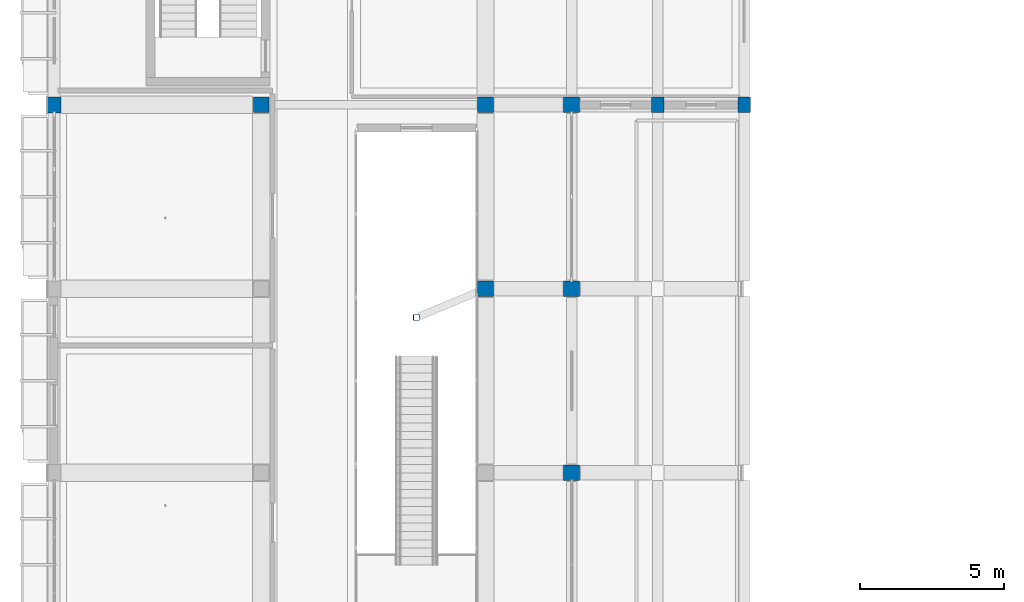
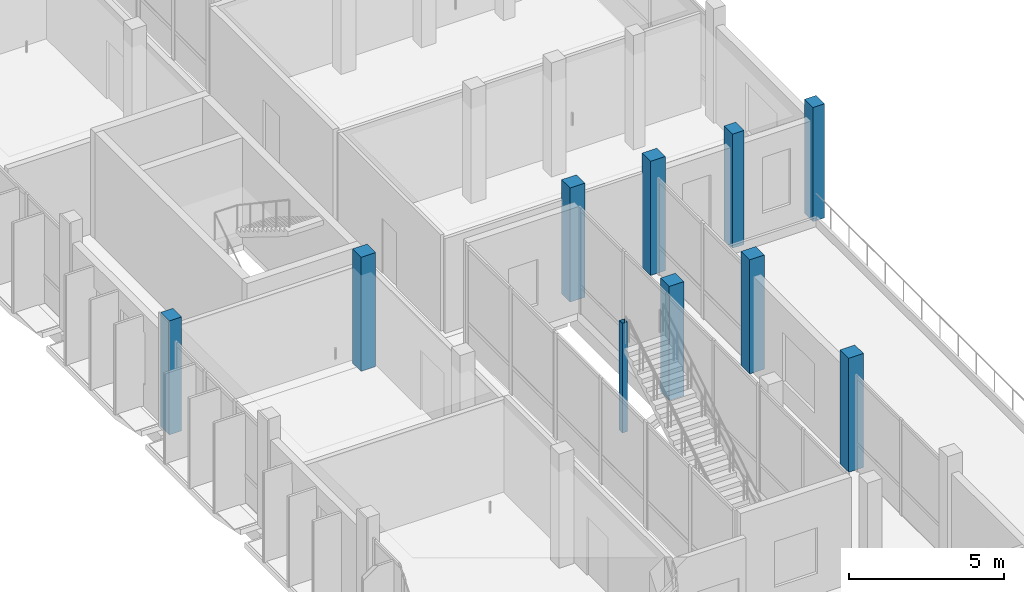
# One storey, part 2 of 95: 10 columns.
"""IFC4 building model written with IfcOpenShell, lengths in metres."""

import ifcopenshell
import ifcopenshell.guid

model = None  # the IFC model being written
_history = None  # IfcOwnerHistory: only IFC2X3 demands one
_inside = {}  # id of a spatial element -> (the spatial element, [elements in it])
_under = {}  # id of a project, library or spatial element -> (it, [spatial elements below it])
_declared = {}  # id of a project -> (the project, [libraries it declares])
_typed = {}  # id of a type object -> (the type object, [elements of that type])
_made_of = {}  # id of a material, layer set ... -> (it, [elements and type objects made of it])


def new_model(schema):
    """Start an empty IFC model of exactly this schema.

    Asked for "IFC4X3", IfcOpenShell would pick the latest addendum, in which some entities
    have other attributes; the version numbers below select the first issue.
    IFC2X3 requires an IfcOwnerHistory on every rooted entity: one is made here for all.
    """
    global model, _history
    if schema == "IFC4X3":
        model = ifcopenshell.file(schema_version=(4, 3, 0, 0))
    else:
        model = ifcopenshell.file(schema=schema)
    _inside.clear()
    _under.clear()
    _declared.clear()
    _typed.clear()
    _made_of.clear()
    _history = None
    if model.schema == "IFC2X3":
        org = make("IfcOrganization", Name="unknown")
        user = make(
            "IfcPersonAndOrganization",
            ThePerson=make("IfcPerson", FamilyName="unknown"),
            TheOrganization=org,
        )
        app = make(
            "IfcApplication",
            ApplicationDeveloper=org,
            Version="unknown",
            ApplicationFullName="unknown",
            ApplicationIdentifier="unknown",
        )
        _history = make(
            "IfcOwnerHistory",
            OwningUser=user,
            OwningApplication=app,
            ChangeAction="ADDED",
            CreationDate=0,
        )
    return model


def make(cls, **values):
    """One entity of the class cls with the attributes given. An attribute that is None is left unset."""
    return model.create_entity(
        cls, **{name: value for name, value in values.items() if value is not None}
    )


def rooted(cls, **values):
    """An entity with a GlobalId (a new one), such as an element, a storey or a relation."""
    return make(cls, GlobalId=ifcopenshell.guid.new(), OwnerHistory=_history, **values)


def si_unit(unit_type, name, prefix=None):
    """IfcSIUnit, for example si_unit("LENGTHUNIT", "METRE", prefix="MILLI")."""
    return make("IfcSIUnit", UnitType=unit_type, Prefix=prefix, Name=name)


def derived_unit(unit_type, elements):
    """IfcDerivedUnit: a product of units, each with its exponent."""
    return make(
        "IfcDerivedUnit",
        Elements=[
            make("IfcDerivedUnitElement", Unit=unit, Exponent=power)
            for unit, power in elements
        ],
        UnitType=unit_type,
    )


def assignment(units):
    """IfcUnitAssignment: the units of a project."""
    return None if units is None else make("IfcUnitAssignment", Units=units)


def point(xyz):
    """IfcCartesianPoint."""
    return None if xyz is None else make("IfcCartesianPoint", Coordinates=xyz)


def direction(xyz):
    """IfcDirection."""
    return None if xyz is None else make("IfcDirection", DirectionRatios=xyz)


def frame(location, z_axis=None, x_axis=None):
    """IfcAxis2Placement3D, a coordinate frame: its origin and axes. An axis left out is left unset."""
    return make(
        "IfcAxis2Placement3D",
        Location=point(location),
        Axis=direction(z_axis),
        RefDirection=direction(x_axis),
    )


def frame_2d(location, x_axis=None):
    """IfcAxis2Placement2D, a coordinate frame in the plane: its origin and x axis."""
    return make(
        "IfcAxis2Placement2D", Location=point(location), RefDirection=direction(x_axis)
    )


def origin():
    """The frame at (0, 0, 0) with its axes left unset."""
    return frame((0.0, 0.0, 0.0))


def origin_2d():
    """The frame at (0, 0) in the plane with its x axis left unset."""
    return frame_2d((0.0, 0.0))


def place(relative_to, where):
    """IfcLocalPlacement: puts the frame where relative to a parent placement (None: the world)."""
    return make(
        "IfcLocalPlacement", PlacementRelTo=relative_to, RelativePlacement=where
    )


def context(
    kind, dimensions, precision=None, world=None, true_north=None, identifier=None
):
    """IfcGeometricRepresentationContext, for example the 3D "Model" context."""
    return make(
        "IfcGeometricRepresentationContext",
        ContextIdentifier=identifier,
        ContextType=kind,
        CoordinateSpaceDimension=dimensions,
        Precision=precision,
        WorldCoordinateSystem=world,
        TrueNorth=true_north,
    )


def subcontext(parent, identifier, kind, view, scale=None):
    """IfcGeometricRepresentationSubContext, for example "Body" below "Model"."""
    return make(
        "IfcGeometricRepresentationSubContext",
        ContextIdentifier=identifier,
        ContextType=kind,
        ParentContext=parent,
        TargetScale=scale,
        TargetView=view,
    )


def project(units=None, contexts=None):
    """IfcProject with its units and contexts."""
    return rooted(
        "IfcProject",
        Name="project",
        RepresentationContexts=contexts,
        UnitsInContext=assignment(units),
    )


def spatial(cls, under=None, at=None, **own):
    """A site, building, storey or space (cls), placed at a placement, below another one or the project."""
    s = rooted(cls, ObjectPlacement=at, **own)
    if under is not None:
        _under.setdefault(under.id(), (under, []))[1].append(s)
    return s


def profile(cls, at=None, kind="AREA", **sizes):
    """A parametric profile (cls). Its sizes go by their IFC names, for example OverallWidth=200.0."""
    return make(cls, ProfileType=kind, Position=at, **sizes)


def rectangle(**sizes):
    """IfcRectangleProfileDef."""
    return profile("IfcRectangleProfileDef", **sizes)


def hollow_rectangle(**sizes):
    """IfcRectangleHollowProfileDef."""
    return profile("IfcRectangleHollowProfileDef", **sizes)


def extrude(swept, where, along, depth):
    """IfcExtrudedAreaSolid: the profile swept, set in the frame where, extruded along a direction by depth."""
    return make(
        "IfcExtrudedAreaSolid",
        SweptArea=swept,
        Position=where,
        ExtrudedDirection=direction(along),
        Depth=depth,
    )


def shape(context_of_items, identifier, shape_type, items):
    """IfcShapeRepresentation: the items that make up one representation, for example the "Body"."""
    return make(
        "IfcShapeRepresentation",
        ContextOfItems=context_of_items,
        RepresentationIdentifier=identifier,
        RepresentationType=shape_type,
        Items=items,
    )


def material(Name=None, Category=None):
    """IfcMaterial."""
    return make("IfcMaterial", Name=Name, Category=Category)


def material_profile(
    of_material, cross_section, Name=None, Category=None, Priority=None
):
    """IfcMaterialProfile: a cross section and its material."""
    return make(
        "IfcMaterialProfile",
        Name=Name,
        Material=of_material,
        Profile=cross_section,
        Priority=Priority,
        Category=Category,
    )


def profile_set(profiles, Name=None, composite=None):
    """IfcMaterialProfileSet."""
    return make(
        "IfcMaterialProfileSet",
        Name=Name,
        MaterialProfiles=profiles,
        CompositeProfile=composite,
    )


def made_of(thing, what):
    """Note that an element or type object is made of a material, layer set ...; save() writes the relation."""
    if what is not None:
        _made_of.setdefault(what.id(), (what, []))[1].append(thing)
    return thing


def type_object(cls, material=None, **own):
    """A type object (cls), such as IfcWallType, which elements share."""
    return made_of(rooted(cls, **own), material)


def element(
    cls,
    number,
    at=None,
    inside=None,
    cuts=None,
    type_object=None,
    material=None,
    context=None,
    identifier="Body",
    shape_type=None,
    held_by="IfcProductDefinitionShape",
    body=None,
    shapes=None,
    **own,
):
    """One element of the class cls, such as IfcWall. Its Tag is "e" and its number.

    at: its placement. inside: the storey or other place that contains it. cuts: it is an
    opening in that element (IfcRelVoidsElement). A single representation is given by context,
    identifier, shape_type and body (its items); several are given by shapes. held_by: the class
    of the entity that holds the representations. save() writes the other relations.
    """
    e = rooted(cls, Tag="e%d" % number, ObjectPlacement=at, **own)
    if body is not None:
        shapes = [shape(context, identifier, shape_type, body)]
    if shapes is not None:
        e.Representation = make(held_by, Representations=shapes)
    if inside is not None:
        _inside.setdefault(inside.id(), (inside, []))[1].append(e)
    if cuts is not None:
        rooted(
            "IfcRelVoidsElement", RelatingBuildingElement=cuts, RelatedOpeningElement=e
        )
    if type_object is not None:
        _typed.setdefault(type_object.id(), (type_object, []))[1].append(e)
    return made_of(e, material)


def aggregate(whole, parts):
    """IfcRelAggregates: a whole, such as a stair, and the parts it consists of."""
    return rooted("IfcRelAggregates", RelatingObject=whole, RelatedObjects=parts)


def save(model, path):
    """Write the relations noted so far, then the file.

    IfcRelAggregates (storeys below a building ...), IfcRelContainedInSpatialStructure (elements
    in a storey), IfcRelDefinesByType, IfcRelAssociatesMaterial and IfcRelDeclares: one each for
    every whole, place, type object, material and project.
    """
    for whole, parts in _under.values():
        aggregate(whole, parts)
    for where, things in _inside.values():
        rooted(
            "IfcRelContainedInSpatialStructure",
            RelatedElements=things,
            RelatingStructure=where,
        )
    for kind, things in _typed.values():
        rooted("IfcRelDefinesByType", RelatedObjects=things, RelatingType=kind)
    for what, things in _made_of.values():
        rooted("IfcRelAssociatesMaterial", RelatedObjects=things, RelatingMaterial=what)
    for by, libraries in _declared.values():
        rooted("IfcRelDeclares", RelatingContext=by, RelatedDefinitions=libraries)
    model.write(path)


model = new_model("IFC4")

# Units and contexts
model_context = context("Model", 3, precision=1e-05, world=origin(), true_north=direction((0.0, 1.0)))
body_context = subcontext(model_context, "Body", "Model", "MODEL_VIEW")
ifc_project = project(units=[si_unit("LENGTHUNIT", "METRE"), si_unit("AREAUNIT", "SQUARE_METRE"), si_unit("VOLUMEUNIT", "CUBIC_METRE"), si_unit("PLANEANGLEUNIT", "RADIAN"), si_unit("MASSUNIT", "GRAM", prefix="KILO"), derived_unit("THERMALTRANSMITTANCEUNIT", [(si_unit("POWERUNIT", "WATT"), 1), (si_unit("LENGTHUNIT", "METRE"), -2), (si_unit("THERMODYNAMICTEMPERATUREUNIT", "KELVIN"), -1)])], contexts=[model_context])

# Site, building, storey
site_placement = place(None, origin())
site = spatial("IfcSite", under=ifc_project, at=site_placement, CompositionType="ELEMENT")
building_placement = place(site_placement, origin())
building = spatial("IfcBuilding", under=site, at=building_placement, Name="Braskholm Square Health Centre", CompositionType="ELEMENT")
storey_placement = place(building_placement, frame((0.0, 0.0, 4.800048828125)))
storey = spatial("IfcBuildingStorey", under=building, at=storey_placement, Name="L02", CompositionType="ELEMENT", Elevation=4.800048828125)

# Columns
ifc_material_1 = material(Name="Concrete C40/50 (f'c = 40 MPa)", Category="concrete")
ifc_material_profile_1 = material_profile(ifc_material_1, rectangle(XDim=0.550048828125, YDim=0.550048828125, at=origin_2d()), Name="RC-550X550")
ifc_profile_set_1 = profile_set([ifc_material_profile_1], Name="Concrete C40/50 (f'c = 40 MPa)")
column_type_1 = type_object("IfcColumnType", Name="ColInteriorMid550", PredefinedType="COLUMN", material=ifc_profile_set_1)
for number, where, z_axis, x_axis, name in (
    (1, (11.39990234375, 49.0, 0.0), (0.0, 0.0, 1.0), (1.0, 0.0, 0.0), "Column 2/H L02"),
    (2, (19.199951171875, 42.60009765625, 0.0), (0.0, 0.0, 1.0), (1.0, 0.0, 0.0), "Column 3/G L02"),
    (3, (19.199951171875, 49.0, 0.0), (0.0, 0.0, 1.0), (1.0, 0.0, 0.0), "Column 3/H L02"),
    (4, (22.199951171875, 36.199951171875, 0.0), (0.0, 0.0, 1.0), (1.0, 0.0, 0.0), "Column 4/F L02"),
    (5, (22.199951171875, 42.60009765625, 0.0), (0.0, 0.0, 1.0), (1.0, 0.0, 0.0), "Column 4/G L02"),
    (6, (22.199951171875, 49.0, 0.0), (0.0, 0.0, 1.0), (1.0, 0.0, 0.0), "Column 4/H L02"),
):
    element("IfcColumn", number, at=place(storey_placement, frame(where, z_axis=z_axis, x_axis=x_axis)), inside=storey, type_object=column_type_1, Name=name, PredefinedType="COLUMN", context=body_context, shape_type="SweptSolid", body=[
        extrude(rectangle(XDim=0.550048828125, YDim=0.550048828125, at=origin_2d()), origin(), (0.0, 0.0, 1.0), 4.5),
    ])
ifc_material_2 = material(Name="Precast concrete C40/50 architectural white", Category="concrete")
ifc_material_profile_2 = material_profile(ifc_material_2, rectangle(XDim=0.43994140625, YDim=0.5400390625, at=origin_2d()), Name="RC-440X540")
ifc_profile_set_2 = profile_set([ifc_material_profile_2], Name="Precast concrete C40/50 architectural white")
column_type_2 = type_object("IfcColumnType", Name="ColPilasterKasota440x540", PredefinedType="PILASTER", material=ifc_profile_set_2)
for number, where, z_axis, x_axis, name in (
    (7, (25.199951171875, 49.0, 0.0), (0.0, 0.0, 1.0), (1.0, 0.0, 0.0), "Column 5/H L02"),
    (8, (28.199951171875, 49.0, 0.0), (0.0, 0.0, 1.0), (1.0, 0.0, 0.0), "Column 6/H L02"),
):
    element("IfcColumn", number, at=place(storey_placement, frame(where, z_axis=z_axis, x_axis=x_axis)), inside=storey, type_object=column_type_2, Name=name, PredefinedType="PILASTER", context=body_context, shape_type="SweptSolid", body=[
        extrude(rectangle(XDim=0.43994140625, YDim=0.5400390625, at=origin_2d()), origin(), (0.0, 0.0, 1.0), 4.5),
    ])
ifc_material_profile_3 = material_profile(ifc_material_2, rectangle(XDim=0.4599609375, YDim=0.56005859375, at=origin_2d()), Name="RC-460X560")
ifc_profile_set_3 = profile_set([ifc_material_profile_3], Name="Precast concrete C40/50 architectural white")
column_type_3 = type_object("IfcColumnType", Name="ColPrecastFrame460x560", PredefinedType="COLUMN", material=ifc_profile_set_3)
column_1_placement = place(storey_placement, frame((4.199951171875, 49.0, 0.0), z_axis=(0.0, 0.0, 1.0), x_axis=(1.0, 0.0, 0.0)))
element("IfcColumn", 9, at=column_1_placement, inside=storey, type_object=column_type_3, Name="Column 1/H L02", PredefinedType="COLUMN", context=body_context, shape_type="SweptSolid", body=[
    extrude(rectangle(XDim=0.4599609375, YDim=0.56005859375, at=origin_2d()), origin(), (0.0, 0.0, 1.0), 4.5),
])
ifc_material_3 = material(Name="Steel ASTM A500 Grade C", Category="steel")
ifc_material_profile_4 = material_profile(ifc_material_3, hollow_rectangle(XDim=0.203125, YDim=0.203125, WallThickness=0.0087890625, at=origin_2d()), Name="HSS8X8X3/8")
ifc_profile_set_4 = profile_set([ifc_material_profile_4], Name="Steel ASTM A500 Grade C")
column_type_4 = type_object("IfcColumnType", Name="ColSteelPorchHSS8", PredefinedType="COLUMN", material=ifc_profile_set_4)
column_2_placement = place(storey_placement, frame((16.800048828125, 41.60009765625, 0.0), z_axis=(0.0, 0.0, 1.0), x_axis=(1.0, 0.0, 0.0)))
element("IfcColumn", 10, at=column_2_placement, inside=storey, type_object=column_type_4, Name="Column CS3C L02", PredefinedType="COLUMN", context=body_context, shape_type="SweptSolid", body=[
    extrude(hollow_rectangle(XDim=0.203125, YDim=0.203125, WallThickness=0.0087890625, at=origin_2d()), origin(), (0.0, 0.0, 1.0), 4.320068359375),
])

save(model, "model.ifc")
